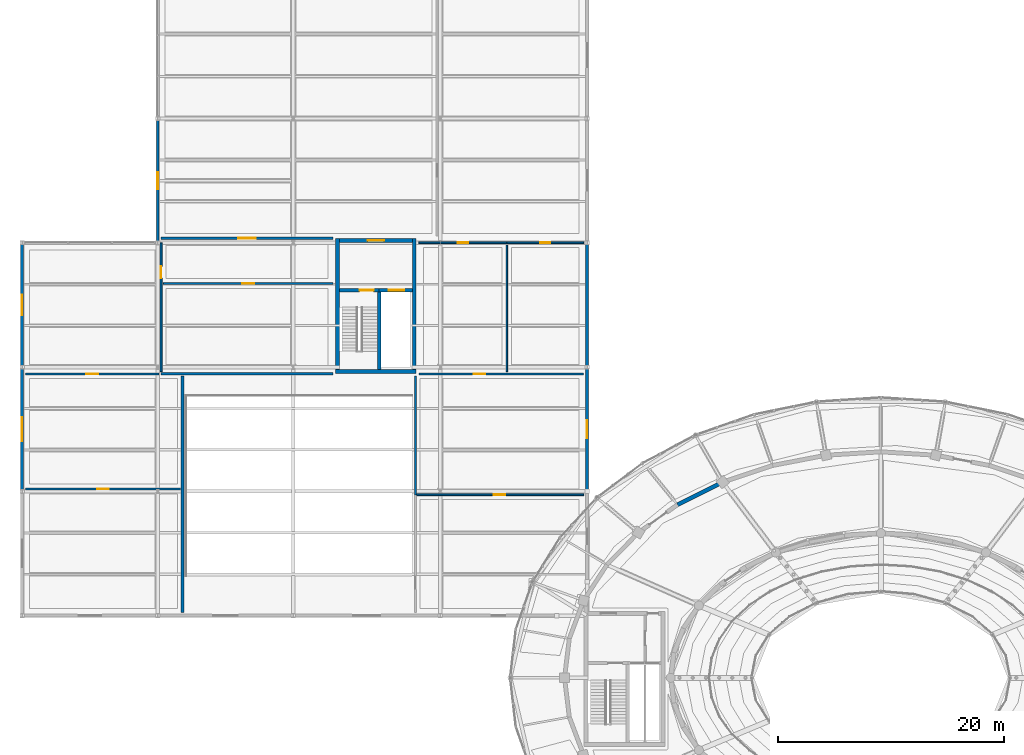
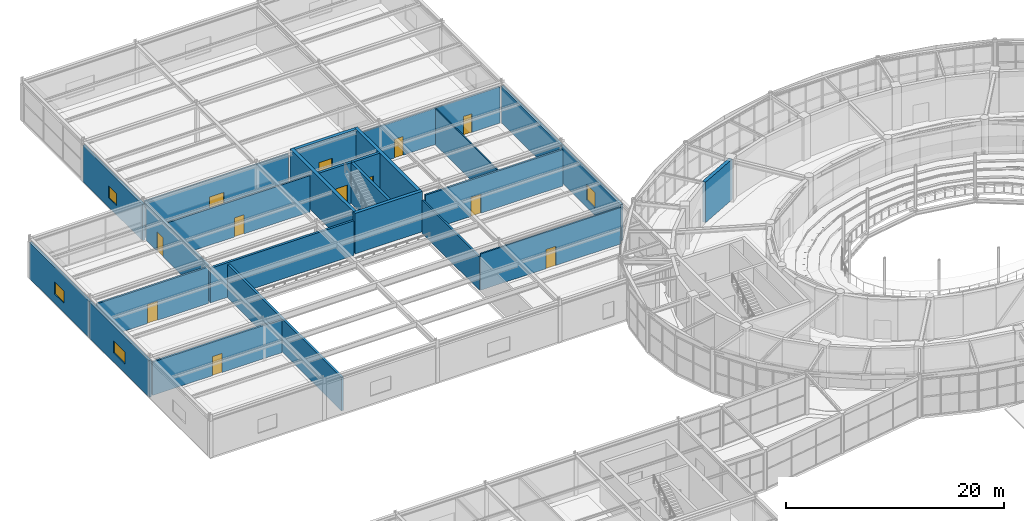
# One storey, part 81 of 100: 26 walls, 12 doors, 4 windows, 16 openings.
"""IFC4 building model written with IfcOpenShell, lengths in metres."""

from ifc_helpers import new_model, si_unit, direction, frame, frame_2d, origin, place, context, subcontext, project, spatial, rectangle, extrude, material, layer, layer_set, type_object, element, fill, save


model = new_model("IFC4")

# Units and contexts
model_context = context("Model", 3, precision=1e-05, world=origin(), true_north=direction((0.0, 1.0)))
body_context = subcontext(model_context, "Body", "Model", "MODEL_VIEW")
ifc_project = project(units=[si_unit("LENGTHUNIT", "METRE"), si_unit("AREAUNIT", "SQUARE_METRE"), si_unit("VOLUMEUNIT", "CUBIC_METRE"), si_unit("PLANEANGLEUNIT", "RADIAN"), si_unit("MASSUNIT", "GRAM", prefix="KILO")], contexts=[model_context])

# Site, building, storey
site_placement = place(None, origin())
site = spatial("IfcSite", under=ifc_project, at=site_placement, CompositionType="ELEMENT")
building_placement = place(site_placement, origin())
building = spatial("IfcBuilding", under=site, at=building_placement, Name="Tarnveldt Headland Concert Hall", CompositionType="ELEMENT")
storey_placement = place(building_placement, frame((0.0, 0.0, 4.800048828125)))
storey = spatial("IfcBuildingStorey", under=building, at=storey_placement, Name="L01", CompositionType="ELEMENT", Elevation=4.800048828125)

# Walls
ifc_material_1 = material(Name="Concrete C40/50", Category="concrete")
ifc_layer_1 = layer(ifc_material_1, 0.35009765625, Name="Concrete C40/50", Category="concrete")
ifc_layer_set_1 = layer_set([ifc_layer_1], Name="Concrete C40/50")
wall_type_1 = type_object("IfcWallType", Name="WL-CR350", PredefinedType="SHEAR", material=ifc_layer_set_1)
wall_1_placement = place(storey_placement, frame((69.5, 71.820556640625, 0.0), z_axis=(0.0, 0.0, 1.0), x_axis=(-0.894361644392, -0.447344664705, 0.0)))
element("IfcWall", 1, at=wall_1_placement, inside=storey, type_object=wall_type_1, Name="Symphony drum shear wall L01-13", PredefinedType="SHEAR", context=body_context, shape_type="SweptSolid", body=[
    extrude(rectangle(XDim=4.47021484375, YDim=0.35009765625, at=frame_2d((2.235107421875, 0.0))), origin(), (0.0, 0.0, 1.0), 4.5400390625),
])
wall_2_placement = place(storey_placement, frame((35.22509765625, 81.60009765625, 0.0), z_axis=(0.0, 0.0, 1.0), x_axis=(1.0, 0.0, 0.0)))
element("IfcWall", 2, at=wall_2_placement, inside=storey, type_object=wall_type_1, Name="Core C6 south shear wall L01", PredefinedType="SHEAR", context=body_context, shape_type="SweptSolid", body=[
    extrude(rectangle(XDim=7.14990234375, YDim=0.35009765625, at=frame_2d((3.574951171875, 0.0))), origin(), (0.0, 0.0, 1.0), 4.5400390625),
])

# Wall, opening, door
wall_3_placement = place(storey_placement, frame((35.574951171875, 93.199951171875, 0.0), z_axis=(0.0, 0.0, 1.0), x_axis=(1.0, 0.0, 0.0)))
wall_3 = element("IfcWall", 3, at=wall_3_placement, inside=storey, type_object=wall_type_1, Name="Core C6 north shear wall L01", PredefinedType="SHEAR", context=body_context, shape_type="SweptSolid", body=[
    extrude(rectangle(XDim=6.449951171875, YDim=0.35009765625, at=frame_2d((3.22509765625, 0.0))), origin(), (0.0, 0.0, 1.0), 4.5400390625),
])
opening_1_placement = place(wall_3_placement, frame((2.5, 0.0, 0.0)))
opening_1 = element("IfcOpeningElement", 4, at=opening_1_placement, cuts=wall_3, Name="Opening LBD-C6-L01", PredefinedType="OPENING", context=body_context, shape_type="SweptSolid", body=[
    extrude(rectangle(XDim=1.449951171875, YDim=2.199951171875, at=frame_2d((0.72509765625, 1.10009765625))), frame((0.0, 0.18505859375, 0.0), z_axis=(0.0, -1.0, 0.0), x_axis=(1.0, 0.0, 0.0)), (0.0, 0.0, 1.0), 0.3701171875),
])
ifc_material_2 = material(Name="Galvanised painted steel sheet", Category="steel")
door_type_1 = type_object("IfcDoorType", Name="DR-LB145", OperationType="NOTDEFINED", PredefinedType="DOOR", material=ifc_material_2)
door_1_placement = place(opening_1_placement, origin())
door_1 = element("IfcDoor", 5, at=door_1_placement, inside=storey, type_object=door_type_1, Name="Core C6 lobby entrance door L01", OperationType="SINGLE_SWING_RIGHT", OverallHeight=2.199951171875, OverallWidth=1.449951171875, PredefinedType="DOOR", context=body_context, shape_type="SweptSolid", body=[
    extrude(rectangle(XDim=1.449951171875, YDim=2.199951171875, at=frame_2d((0.72509765625, 1.10009765625))), frame((0.0, 0.02490234375, 0.0), z_axis=(0.0, -1.0, 0.0), x_axis=(1.0, 0.0, 0.0)), (0.0, 0.0, 1.0), 0.050048828125),
])
fill(opening_1, door_1)

# Walls
for number, where, z_axis, x_axis, name in (
    (6, (35.39990234375, 81.77490234375, 0.0), (0.0, 0.0, 1.0), (0.0, 1.0, 0.0), "Core C6 west shear wall L01"),
    (7, (42.199951171875, 81.77490234375, 0.0), (0.0, 0.0, 1.0), (0.0, 1.0, 0.0), "Core C6 east shear wall L01"),
):
    element("IfcWall", number, at=place(storey_placement, frame(where, z_axis=z_axis, x_axis=x_axis)), inside=storey, type_object=wall_type_1, Name=name, PredefinedType="SHEAR", context=body_context, shape_type="SweptSolid", body=[
        extrude(rectangle(XDim=11.60009765625, YDim=0.35009765625, at=frame_2d((5.800048828125, 0.0))), origin(), (0.0, 0.0, 1.0), 4.5400390625),
    ])

# Wall, opening, window
ifc_material_3 = material(Name="Coral-toned precast concrete C40/50", Category="concrete")
ifc_layer_2 = layer(ifc_material_3, 0.25, Name="Coral-toned precast concrete C40/50", Category="concrete")
ifc_layer_set_2 = layer_set([ifc_layer_2], Name="Coral-toned precast concrete C40/50")
wall_type_2 = type_object("IfcWallType", Name="WL-EX250", PredefinedType="SOLIDWALL", material=ifc_layer_set_2)
wall_4_placement = place(storey_placement, frame((57.5, 81.97998046875, 0.0), z_axis=(0.0, 0.0, 1.0), x_axis=(0.0, -1.0, 0.0)))
wall_4 = element("IfcWall", 8, at=wall_4_placement, inside=storey, type_object=wall_type_2, Name="External precast wall L01-285", PredefinedType="SOLIDWALL", context=body_context, shape_type="SweptSolid", body=[
    extrude(rectangle(XDim=10.9599609375, YDim=0.25, at=frame_2d((5.47998046875, 0.0))), origin(), (0.0, 0.0, 1.0), 4.077880859375),
])
opening_2_placement = place(wall_4_placement, frame((4.679931640625, 0.0, 0.85009765625)))
opening_2 = element("IfcOpeningElement", 9, at=opening_2_placement, cuts=wall_4, Name="Opening W-R121", PredefinedType="OPENING", context=body_context, shape_type="SweptSolid", body=[
    extrude(rectangle(XDim=1.60009765625, YDim=1.699951171875, at=frame_2d((0.800048828125, 0.85009765625))), frame((0.0, 0.135009765625, 0.0), z_axis=(0.0, -1.0, 0.0), x_axis=(1.0, 0.0, 0.0)), (0.0, 0.0, 1.0), 0.27001953125),
])
ifc_material_4 = material(Name="Acoustic laminated low-iron double glazing", Category="glass")
window_type_1 = type_object("IfcWindowType", Name="WN-11", PartitioningType="SINGLE_PANEL", PredefinedType="WINDOW", material=ifc_material_4)
window_1_placement = place(opening_2_placement, origin())
window_1 = element("IfcWindow", 10, at=window_1_placement, inside=storey, type_object=window_type_1, Name="Rehearsal wing acoustic window L01-E2", OverallHeight=1.699951171875, OverallWidth=1.60009765625, PartitioningType="SINGLE_PANEL", PredefinedType="WINDOW", context=body_context, shape_type="SweptSolid", body=[
    extrude(rectangle(XDim=1.60009765625, YDim=1.699951171875, at=frame_2d((0.800048828125, 0.85009765625))), frame((0.0, 0.030029296875, 0.0), z_axis=(0.0, -1.0, 0.0), x_axis=(1.0, 0.0, 0.0)), (0.0, 0.0, 1.0), 0.06005859375),
])
fill(opening_2, window_1)

# Wall
wall_5_placement = place(storey_placement, frame((57.5, 92.97998046875, 0.0), z_axis=(0.0, 0.0, 1.0), x_axis=(0.0, -1.0, 0.0)))
element("IfcWall", 11, at=wall_5_placement, inside=storey, type_object=wall_type_2, Name="External precast wall L01-286", PredefinedType="SOLIDWALL", context=body_context, shape_type="SweptSolid", body=[
    extrude(rectangle(XDim=10.9599609375, YDim=0.25, at=frame_2d((5.47998046875, 0.0))), origin(), (0.0, 0.0, 1.0), 4.077880859375),
])

# Wall, opening, window
wall_6_placement = place(storey_placement, frame((19.5, 93.02001953125, 0.0), z_axis=(0.0, 0.0, 1.0), x_axis=(0.0, 1.0, 0.0)))
wall_6 = element("IfcWall", 12, at=wall_6_placement, inside=storey, type_object=wall_type_2, Name="External precast wall L01-292", PredefinedType="SOLIDWALL", context=body_context, shape_type="SweptSolid", body=[
    extrude(rectangle(XDim=10.9599609375, YDim=0.25, at=frame_2d((5.47998046875, 0.0))), origin(), (0.0, 0.0, 1.0), 4.077880859375),
])
opening_3_placement = place(wall_6_placement, frame((4.72998046875, 0.0, 1.050048828125)))
opening_3 = element("IfcOpeningElement", 13, at=opening_3_placement, cuts=wall_6, Name="Opening W-R127", PredefinedType="OPENING", context=body_context, shape_type="SweptSolid", body=[
    extrude(rectangle(XDim=1.5, YDim=1.35009765625, at=frame_2d((0.75, 0.675048828125))), frame((0.0, 0.135009765625, 0.0), z_axis=(0.0, -1.0, 0.0), x_axis=(1.0, 0.0, 0.0)), (0.0, 0.0, 1.0), 0.27001953125),
])
window_type_2 = type_object("IfcWindowType", Name="WN-17", PartitioningType="SINGLE_PANEL", PredefinedType="WINDOW", material=ifc_material_4)
window_2_placement = place(opening_3_placement, origin())
window_2 = element("IfcWindow", 14, at=window_2_placement, inside=storey, type_object=window_type_2, Name="Rehearsal wing acoustic window L01-CW2", OverallHeight=1.35009765625, OverallWidth=1.5, PartitioningType="SINGLE_PANEL", PredefinedType="WINDOW", context=body_context, shape_type="SweptSolid", body=[
    extrude(rectangle(XDim=1.5, YDim=1.35009765625, at=frame_2d((0.75, 0.675048828125))), frame((0.0, 0.030029296875, 0.0), z_axis=(0.0, -1.0, 0.0), x_axis=(1.0, 0.0, 0.0)), (0.0, 0.0, 1.0), 0.06005859375),
])
fill(opening_3, window_2)

wall_7_placement = place(storey_placement, frame((7.5, 82.02001953125, 0.0), z_axis=(0.0, 0.0, 1.0), x_axis=(0.0, 1.0, 0.0)))
wall_7 = element("IfcWall", 15, at=wall_7_placement, inside=storey, type_object=wall_type_2, Name="External precast wall L01-293", PredefinedType="SOLIDWALL", context=body_context, shape_type="SweptSolid", body=[
    extrude(rectangle(XDim=10.9599609375, YDim=0.25, at=frame_2d((5.47998046875, 0.0))), origin(), (0.0, 0.0, 1.0), 4.077880859375),
])
opening_4_placement = place(wall_7_placement, frame((4.580078125, 0.0, 1.050048828125)))
opening_4 = element("IfcOpeningElement", 16, at=opening_4_placement, cuts=wall_7, Name="Opening W-R128", PredefinedType="OPENING", context=body_context, shape_type="SweptSolid", body=[
    extrude(rectangle(XDim=1.800048828125, YDim=1.35009765625, at=frame_2d((0.89990234375, 0.675048828125))), frame((0.0, 0.135009765625, 0.0), z_axis=(0.0, -1.0, 0.0), x_axis=(1.0, 0.0, 0.0)), (0.0, 0.0, 1.0), 0.27001953125),
])
window_type_3 = type_object("IfcWindowType", Name="WN-18", PartitioningType="SINGLE_PANEL", PredefinedType="WINDOW", material=ifc_material_4)
window_3_placement = place(opening_4_placement, origin())
window_3 = element("IfcWindow", 17, at=window_3_placement, inside=storey, type_object=window_type_3, Name="Rehearsal wing acoustic window L01-W1", OverallHeight=1.35009765625, OverallWidth=1.800048828125, PartitioningType="SINGLE_PANEL", PredefinedType="WINDOW", context=body_context, shape_type="SweptSolid", body=[
    extrude(rectangle(XDim=1.800048828125, YDim=1.35009765625, at=frame_2d((0.89990234375, 0.675048828125))), frame((0.0, 0.030029296875, 0.0), z_axis=(0.0, -1.0, 0.0), x_axis=(1.0, 0.0, 0.0)), (0.0, 0.0, 1.0), 0.06005859375),
])
fill(opening_4, window_3)

wall_8_placement = place(storey_placement, frame((7.5, 71.02001953125, 0.0), z_axis=(0.0, 0.0, 1.0), x_axis=(0.0, 1.0, 0.0)))
wall_8 = element("IfcWall", 18, at=wall_8_placement, inside=storey, type_object=wall_type_2, Name="External precast wall L01-294", PredefinedType="SOLIDWALL", context=body_context, shape_type="SweptSolid", body=[
    extrude(rectangle(XDim=10.9599609375, YDim=0.25, at=frame_2d((5.47998046875, 0.0))), origin(), (0.0, 0.0, 1.0), 4.077880859375),
])
opening_5_placement = place(wall_8_placement, frame((4.429931640625, 0.0, 1.050048828125)))
opening_5 = element("IfcOpeningElement", 19, at=opening_5_placement, cuts=wall_8, Name="Opening W-R129", PredefinedType="OPENING", context=body_context, shape_type="SweptSolid", body=[
    extrude(rectangle(XDim=2.10009765625, YDim=1.35009765625, at=frame_2d((1.050048828125, 0.675048828125))), frame((0.0, 0.135009765625, 0.0), z_axis=(0.0, -1.0, 0.0), x_axis=(1.0, 0.0, 0.0)), (0.0, 0.0, 1.0), 0.27001953125),
])
window_type_4 = type_object("IfcWindowType", Name="WN-19", PartitioningType="SINGLE_PANEL", PredefinedType="WINDOW", material=ifc_material_4)
window_4_placement = place(opening_5_placement, origin())
window_4 = element("IfcWindow", 20, at=window_4_placement, inside=storey, type_object=window_type_4, Name="Rehearsal wing acoustic window L01-W2", OverallHeight=1.35009765625, OverallWidth=2.10009765625, PartitioningType="SINGLE_PANEL", PredefinedType="WINDOW", context=body_context, shape_type="SweptSolid", body=[
    extrude(rectangle(XDim=2.10009765625, YDim=1.35009765625, at=frame_2d((1.050048828125, 0.675048828125))), frame((0.0, 0.030029296875, 0.0), z_axis=(0.0, -1.0, 0.0), x_axis=(1.0, 0.0, 0.0)), (0.0, 0.0, 1.0), 0.06005859375),
])
fill(opening_5, window_4)

# Wall
ifc_material_5 = material(Name="Acoustic multi-layer gypsum and mineral-wool partition", Category="gypsum")
ifc_layer_3 = layer(ifc_material_5, 0.1201171875, Name="Acoustic multi-layer gypsum and mineral-wool partition", Category="gypsum")
ifc_layer_set_3 = layer_set([ifc_layer_3], Name="Acoustic multi-layer gypsum and mineral-wool partition")
wall_type_3 = type_object("IfcWallType", Name="WL-PT120", PredefinedType="PARTITIONING", material=ifc_layer_set_3)
wall_9_placement = place(storey_placement, frame((50.39990234375, 81.60009765625, 0.0), z_axis=(0.0, 0.0, 1.0), x_axis=(0.0, 1.0, 0.0)))
element("IfcWall", 21, at=wall_9_placement, inside=storey, type_object=wall_type_3, Name="Interior acoustic partition L01-84", PredefinedType="PARTITIONING", context=body_context, shape_type="SweptSolid", body=[
    extrude(rectangle(XDim=11.199951171875, YDim=0.1201171875, at=frame_2d((5.60009765625, 0.0))), origin(), (0.0, 0.0, 1.0), 4.079833984375),
])

# Wall, opening, door
ifc_layer_4 = layer(ifc_material_5, 0.14990234375, Name="Acoustic multi-layer gypsum and mineral-wool partition", Category="gypsum")
ifc_layer_set_4 = layer_set([ifc_layer_4], Name="Acoustic multi-layer gypsum and mineral-wool partition")
wall_type_4 = type_object("IfcWallType", Name="WL-PT150", PredefinedType="PARTITIONING", material=ifc_layer_set_4)
wall_10_placement = place(storey_placement, frame((42.300048828125, 70.699951171875, 0.0), z_axis=(0.0, 0.0, 1.0), x_axis=(1.0, 0.0, 0.0)))
wall_10 = element("IfcWall", 22, at=wall_10_placement, inside=storey, type_object=wall_type_4, Name="Interior acoustic partition L01-81", PredefinedType="PARTITIONING", context=body_context, shape_type="SweptSolid", body=[
    extrude(rectangle(XDim=14.89990234375, YDim=0.14990234375, at=frame_2d((7.449951171875, 0.0))), origin(), (0.0, 0.0, 1.0), 4.079833984375),
])
opening_6_placement = place(wall_10_placement, frame((6.925048828125, 0.0, 0.0)))
opening_6 = element("IfcOpeningElement", 23, at=opening_6_placement, cuts=wall_10, Name="Opening D-L01-104", PredefinedType="OPENING", context=body_context, shape_type="SweptSolid", body=[
    extrude(rectangle(XDim=1.050048828125, YDim=2.14990234375, at=frame_2d((0.52490234375, 1.074951171875))), frame((0.0, 0.0849609375, 0.0), z_axis=(0.0, -1.0, 0.0), x_axis=(1.0, 0.0, 0.0)), (0.0, 0.0, 1.0), 0.169921875),
])
ifc_material_6 = material(Name="Treated East African mvule hardwood", Category="wood")
door_type_2 = type_object("IfcDoorType", Name="DR-RM105", OperationType="NOTDEFINED", PredefinedType="DOOR", material=ifc_material_6)
door_2_placement = place(opening_6_placement, origin())
door_2 = element("IfcDoor", 24, at=door_2_placement, inside=storey, type_object=door_type_2, Name="Interior room door L01-104", OperationType="SINGLE_SWING_RIGHT", OverallHeight=2.14990234375, OverallWidth=1.050048828125, PredefinedType="DOOR", context=body_context, shape_type="SweptSolid", body=[
    extrude(rectangle(XDim=1.050048828125, YDim=2.14990234375, at=frame_2d((0.52490234375, 1.074951171875))), frame((0.0, 0.02490234375, 0.0), z_axis=(0.0, -1.0, 0.0), x_axis=(1.0, 0.0, 0.0)), (0.0, 0.0, 1.0), 0.050048828125),
])
fill(opening_6, door_2)

ifc_layer_5 = layer(ifc_material_5, 0.1650390625, Name="Acoustic multi-layer gypsum and mineral-wool partition", Category="gypsum")
ifc_layer_set_5 = layer_set([ifc_layer_5], Name="Acoustic multi-layer gypsum and mineral-wool partition")
wall_type_5 = type_object("IfcWallType", Name="WL-PT165", PredefinedType="PARTITIONING", material=ifc_layer_set_5)
wall_11_placement = place(storey_placement, frame((19.800048828125, 81.60009765625, 0.0), z_axis=(0.0, 0.0, 1.0), x_axis=(0.0, 1.0, 0.0)))
wall_11 = element("IfcWall", 25, at=wall_11_placement, inside=storey, type_object=wall_type_5, Name="Interior acoustic partition L01-75", PredefinedType="PARTITIONING", context=body_context, shape_type="SweptSolid", body=[
    extrude(rectangle(XDim=11.39990234375, YDim=0.1650390625, at=frame_2d((5.699951171875, 0.0))), origin(), (0.0, 0.0, 1.0), 4.079833984375),
])
opening_7_placement = place(wall_11_placement, frame((8.256591796875, 0.0, 0.0)))
opening_7 = element("IfcOpeningElement", 26, at=opening_7_placement, cuts=wall_11, Name="Opening D-L01-100", PredefinedType="OPENING", context=body_context, shape_type="SweptSolid", body=[
    extrude(rectangle(XDim=1.050048828125, YDim=2.14990234375, at=frame_2d((0.52490234375, 1.074951171875))), frame((0.0, 0.092529296875, 0.0), z_axis=(0.0, -1.0, 0.0), x_axis=(1.0, 0.0, 0.0)), (0.0, 0.0, 1.0), 0.18505859375),
])
door_3_placement = place(opening_7_placement, origin())
door_3 = element("IfcDoor", 27, at=door_3_placement, inside=storey, type_object=door_type_2, Name="Interior room door L01-100", OperationType="SINGLE_SWING_RIGHT", OverallHeight=2.14990234375, OverallWidth=1.050048828125, PredefinedType="DOOR", context=body_context, shape_type="SweptSolid", body=[
    extrude(rectangle(XDim=1.050048828125, YDim=2.14990234375, at=frame_2d((0.52490234375, 1.074951171875))), frame((0.0, 0.02490234375, 0.0), z_axis=(0.0, -1.0, 0.0), x_axis=(1.0, 0.0, 0.0)), (0.0, 0.0, 1.0), 0.050048828125),
])
fill(opening_7, door_3)

wall_12_placement = place(storey_placement, frame((20.0, 89.39990234375, 0.0), z_axis=(0.0, 0.0, 1.0), x_axis=(1.0, 0.0, 0.0)))
wall_12 = element("IfcWall", 28, at=wall_12_placement, inside=storey, type_object=wall_type_5, Name="Interior acoustic partition L01-76", PredefinedType="PARTITIONING", context=body_context, shape_type="SweptSolid", body=[
    extrude(rectangle(XDim=15.0, YDim=0.1650390625, at=frame_2d((7.5, 0.0))), origin(), (0.0, 0.0, 1.0), 4.079833984375),
])
opening_8_placement = place(wall_12_placement, frame((6.97509765625, 0.0, 0.0)))
opening_8 = element("IfcOpeningElement", 29, at=opening_8_placement, cuts=wall_12, Name="Opening D-L01-101", PredefinedType="OPENING", context=body_context, shape_type="SweptSolid", body=[
    extrude(rectangle(XDim=1.050048828125, YDim=2.14990234375, at=frame_2d((0.52490234375, 1.074951171875))), frame((0.0, 0.092529296875, 0.0), z_axis=(0.0, -1.0, 0.0), x_axis=(1.0, 0.0, 0.0)), (0.0, 0.0, 1.0), 0.18505859375),
])
door_4_placement = place(opening_8_placement, origin())
door_4 = element("IfcDoor", 30, at=door_4_placement, inside=storey, type_object=door_type_2, Name="Interior room door L01-101", OperationType="SINGLE_SWING_LEFT", OverallHeight=2.14990234375, OverallWidth=1.050048828125, PredefinedType="DOOR", context=body_context, shape_type="SweptSolid", body=[
    extrude(rectangle(XDim=1.050048828125, YDim=2.14990234375, at=frame_2d((0.52490234375, 1.074951171875))), frame((0.0, 0.02490234375, 0.0), z_axis=(0.0, -1.0, 0.0), x_axis=(1.0, 0.0, 0.0)), (0.0, 0.0, 1.0), 0.050048828125),
])
fill(opening_8, door_4)

wall_13_placement = place(storey_placement, frame((42.60009765625, 93.0, 0.0), z_axis=(0.0, 0.0, 1.0), x_axis=(1.0, 0.0, 0.0)))
wall_13 = element("IfcWall", 31, at=wall_13_placement, inside=storey, type_object=wall_type_5, Name="Interior acoustic partition L01-82", PredefinedType="PARTITIONING", context=body_context, shape_type="SweptSolid", body=[
    extrude(rectangle(XDim=7.7998046875, YDim=0.1650390625, at=frame_2d((3.89990234375, 0.0))), origin(), (0.0, 0.0, 1.0), 4.079833984375),
])
opening_9_placement = place(wall_13_placement, frame((3.43994140625, 0.0, 0.0)))
opening_9 = element("IfcOpeningElement", 32, at=opening_9_placement, cuts=wall_13, Name="Opening D-L01-105", PredefinedType="OPENING", context=body_context, shape_type="SweptSolid", body=[
    extrude(rectangle(XDim=0.919921875, YDim=2.10009765625, at=frame_2d((0.4599609375, 1.050048828125))), frame((0.0, 0.092529296875, 0.0), z_axis=(0.0, -1.0, 0.0), x_axis=(1.0, 0.0, 0.0)), (0.0, 0.0, 1.0), 0.18505859375),
])
door_type_3 = type_object("IfcDoorType", Name="DR-WC092", OperationType="NOTDEFINED", PredefinedType="DOOR", material=ifc_material_6)
door_5_placement = place(opening_9_placement, origin())
door_5 = element("IfcDoor", 33, at=door_5_placement, inside=storey, type_object=door_type_3, Name="Interior room door L01-105", OperationType="SINGLE_SWING_LEFT", OverallHeight=2.10009765625, OverallWidth=0.919921875, PredefinedType="DOOR", context=body_context, shape_type="SweptSolid", body=[
    extrude(rectangle(XDim=0.919921875, YDim=2.10009765625, at=frame_2d((0.4599609375, 1.050048828125))), frame((0.0, 0.02490234375, 0.0), z_axis=(0.0, -1.0, 0.0), x_axis=(1.0, 0.0, 0.0)), (0.0, 0.0, 1.0), 0.050048828125),
])
fill(opening_9, door_5)

wall_14_placement = place(storey_placement, frame((50.39990234375, 93.0, 0.0), z_axis=(0.0, 0.0, 1.0), x_axis=(1.0, 0.0, 0.0)))
wall_14 = element("IfcWall", 34, at=wall_14_placement, inside=storey, type_object=wall_type_5, Name="Interior acoustic partition L01-83", PredefinedType="PARTITIONING", context=body_context, shape_type="SweptSolid", body=[
    extrude(rectangle(XDim=6.800048828125, YDim=0.1650390625, at=frame_2d((3.39990234375, 0.0))), origin(), (0.0, 0.0, 1.0), 4.079833984375),
])
opening_10_placement = place(wall_14_placement, frame((2.9599609375, 0.0, 0.0)))
opening_10 = element("IfcOpeningElement", 35, at=opening_10_placement, cuts=wall_14, Name="Opening D-L01-106", PredefinedType="OPENING", context=body_context, shape_type="SweptSolid", body=[
    extrude(rectangle(XDim=0.8798828125, YDim=2.10009765625, at=frame_2d((0.43994140625, 1.050048828125))), frame((0.0, 0.092529296875, 0.0), z_axis=(0.0, -1.0, 0.0), x_axis=(1.0, 0.0, 0.0)), (0.0, 0.0, 1.0), 0.18505859375),
])
door_type_4 = type_object("IfcDoorType", Name="DR-WC088", OperationType="NOTDEFINED", PredefinedType="DOOR", material=ifc_material_6)
door_6_placement = place(opening_10_placement, origin())
door_6 = element("IfcDoor", 36, at=door_6_placement, inside=storey, type_object=door_type_4, Name="Interior room door L01-106", OperationType="SINGLE_SWING_RIGHT", OverallHeight=2.10009765625, OverallWidth=0.8798828125, PredefinedType="DOOR", context=body_context, shape_type="SweptSolid", body=[
    extrude(rectangle(XDim=0.8798828125, YDim=2.10009765625, at=frame_2d((0.43994140625, 1.050048828125))), frame((0.0, 0.02490234375, 0.0), z_axis=(0.0, -1.0, 0.0), x_axis=(1.0, 0.0, 0.0)), (0.0, 0.0, 1.0), 0.050048828125),
])
fill(opening_10, door_6)

ifc_layer_6 = layer(ifc_material_5, 0.18505859375, Name="Acoustic multi-layer gypsum and mineral-wool partition", Category="gypsum")
ifc_layer_set_6 = layer_set([ifc_layer_6], Name="Acoustic multi-layer gypsum and mineral-wool partition")
wall_type_6 = type_object("IfcWallType", Name="WL-PT185", PredefinedType="PARTITIONING", material=ifc_layer_set_6)
wall_15_placement = place(storey_placement, frame((7.800048828125, 81.39990234375, 0.0), z_axis=(0.0, 0.0, 1.0), x_axis=(1.0, 0.0, 0.0)))
wall_15 = element("IfcWall", 37, at=wall_15_placement, inside=storey, type_object=wall_type_6, Name="Interior acoustic partition L01-74", PredefinedType="PARTITIONING", context=body_context, shape_type="SweptSolid", body=[
    extrude(rectangle(XDim=11.800048828125, YDim=0.18505859375, at=frame_2d((5.89990234375, 0.0))), origin(), (0.0, 0.0, 1.0), 4.079833984375),
])
opening_11_placement = place(wall_15_placement, frame((5.375, 0.0, 0.0)))
opening_11 = element("IfcOpeningElement", 38, at=opening_11_placement, cuts=wall_15, Name="Opening D-L01-099", PredefinedType="OPENING", context=body_context, shape_type="SweptSolid", body=[
    extrude(rectangle(XDim=1.050048828125, YDim=2.14990234375, at=frame_2d((0.52490234375, 1.074951171875))), frame((0.0, 0.1025390625, 0.0), z_axis=(0.0, -1.0, 0.0), x_axis=(1.0, 0.0, 0.0)), (0.0, 0.0, 1.0), 0.205078125),
])
door_7_placement = place(opening_11_placement, origin())
door_7 = element("IfcDoor", 39, at=door_7_placement, inside=storey, type_object=door_type_2, Name="Interior room door L01-99", OperationType="SINGLE_SWING_LEFT", OverallHeight=2.14990234375, OverallWidth=1.050048828125, PredefinedType="DOOR", context=body_context, shape_type="SweptSolid", body=[
    extrude(rectangle(XDim=1.050048828125, YDim=2.14990234375, at=frame_2d((0.52490234375, 1.074951171875))), frame((0.0, 0.02490234375, 0.0), z_axis=(0.0, -1.0, 0.0), x_axis=(1.0, 0.0, 0.0)), (0.0, 0.0, 1.0), 0.050048828125),
])
fill(opening_11, door_7)

wall_16_placement = place(storey_placement, frame((7.800048828125, 71.199951171875, 0.0), z_axis=(0.0, 0.0, 1.0), x_axis=(1.0, 0.0, 0.0)))
wall_16 = element("IfcWall", 40, at=wall_16_placement, inside=storey, type_object=wall_type_6, Name="Interior acoustic partition L01-78", PredefinedType="PARTITIONING", context=body_context, shape_type="SweptSolid", body=[
    extrude(rectangle(XDim=13.699951171875, YDim=0.18505859375, at=frame_2d((6.85009765625, 0.0))), origin(), (0.0, 0.0, 1.0), 3.72998046875),
])
opening_12_placement = place(wall_16_placement, frame((6.324951171875, 0.0, 0.0)))
opening_12 = element("IfcOpeningElement", 41, at=opening_12_placement, cuts=wall_16, Name="Opening D-L01-102", PredefinedType="OPENING", context=body_context, shape_type="SweptSolid", body=[
    extrude(rectangle(XDim=1.050048828125, YDim=2.14990234375, at=frame_2d((0.52490234375, 1.074951171875))), frame((0.0, 0.1025390625, 0.0), z_axis=(0.0, -1.0, 0.0), x_axis=(1.0, 0.0, 0.0)), (0.0, 0.0, 1.0), 0.205078125),
])
door_8_placement = place(opening_12_placement, origin())
door_8 = element("IfcDoor", 42, at=door_8_placement, inside=storey, type_object=door_type_2, Name="Interior room door L01-102", OperationType="SINGLE_SWING_RIGHT", OverallHeight=2.14990234375, OverallWidth=1.050048828125, PredefinedType="DOOR", context=body_context, shape_type="SweptSolid", body=[
    extrude(rectangle(XDim=1.050048828125, YDim=2.14990234375, at=frame_2d((0.52490234375, 1.074951171875))), frame((0.0, 0.02490234375, 0.0), z_axis=(0.0, -1.0, 0.0), x_axis=(1.0, 0.0, 0.0)), (0.0, 0.0, 1.0), 0.050048828125),
])
fill(opening_12, door_8)

# Wall
wall_17_placement = place(storey_placement, frame((42.300048828125, 70.699951171875, 0.0), z_axis=(0.0, 0.0, 1.0), x_axis=(0.0, 1.0, 0.0)))
element("IfcWall", 43, at=wall_17_placement, inside=storey, type_object=wall_type_6, Name="Interior acoustic partition L01-80", PredefinedType="PARTITIONING", context=body_context, shape_type="SweptSolid", body=[
    extrude(rectangle(XDim=10.5, YDim=0.18505859375, at=frame_2d((5.25, 0.0))), origin(), (0.0, 0.0, 1.0), 3.72998046875),
])

# Wall, opening, door
wall_18_placement = place(storey_placement, frame((42.60009765625, 81.39990234375, 0.0), z_axis=(0.0, 0.0, 1.0), x_axis=(1.0, 0.0, 0.0)))
wall_18 = element("IfcWall", 44, at=wall_18_placement, inside=storey, type_object=wall_type_6, Name="Interior acoustic partition L01-85", PredefinedType="PARTITIONING", context=body_context, shape_type="SweptSolid", body=[
    extrude(rectangle(XDim=14.599853515625, YDim=0.18505859375, at=frame_2d((7.2998046875, 0.0))), origin(), (0.0, 0.0, 1.0), 4.079833984375),
])
opening_13_placement = place(wall_18_placement, frame((4.8505859375, 0.0, 0.0)))
opening_13 = element("IfcOpeningElement", 45, at=opening_13_placement, cuts=wall_18, Name="Opening D-L01-107", PredefinedType="OPENING", context=body_context, shape_type="SweptSolid", body=[
    extrude(rectangle(XDim=1.050048828125, YDim=2.14990234375, at=frame_2d((0.52490234375, 1.074951171875))), frame((0.0, 0.1025390625, 0.0), z_axis=(0.0, -1.0, 0.0), x_axis=(1.0, 0.0, 0.0)), (0.0, 0.0, 1.0), 0.205078125),
])
door_9_placement = place(opening_13_placement, origin())
door_9 = element("IfcDoor", 46, at=door_9_placement, inside=storey, type_object=door_type_2, Name="Interior room door L01-107", OperationType="SINGLE_SWING_LEFT", OverallHeight=2.14990234375, OverallWidth=1.050048828125, PredefinedType="DOOR", context=body_context, shape_type="SweptSolid", body=[
    extrude(rectangle(XDim=1.050048828125, YDim=2.14990234375, at=frame_2d((0.52490234375, 1.074951171875))), frame((0.0, 0.02490234375, 0.0), z_axis=(0.0, -1.0, 0.0), x_axis=(1.0, 0.0, 0.0)), (0.0, 0.0, 1.0), 0.050048828125),
])
fill(opening_13, door_9)

ifc_layer_7 = layer(ifc_material_5, 0.199951171875, Name="Acoustic multi-layer gypsum and mineral-wool partition", Category="gypsum")
ifc_layer_set_7 = layer_set([ifc_layer_7], Name="Acoustic multi-layer gypsum and mineral-wool partition")
wall_type_7 = type_object("IfcWallType", Name="WL-PT200", PredefinedType="PARTITIONING", material=ifc_layer_set_7)
wall_19_placement = place(storey_placement, frame((19.800048828125, 93.39990234375, 0.0), z_axis=(0.0, 0.0, 1.0), x_axis=(1.0, 0.0, 0.0)))
wall_19 = element("IfcWall", 47, at=wall_19_placement, inside=storey, type_object=wall_type_7, Name="Interior acoustic partition L01-87", PredefinedType="PARTITIONING", context=body_context, shape_type="SweptSolid", body=[
    extrude(rectangle(XDim=15.199951171875, YDim=0.199951171875, at=frame_2d((7.60009765625, 0.0))), origin(), (0.0, 0.0, 1.0), 4.079833984375),
])
opening_14_placement = place(wall_19_placement, frame((6.824951171875, 0.0, 0.0)))
opening_14 = element("IfcOpeningElement", 48, at=opening_14_placement, cuts=wall_19, Name="Opening D-L01-109", PredefinedType="OPENING", context=body_context, shape_type="SweptSolid", body=[
    extrude(rectangle(XDim=1.550048828125, YDim=2.179931640625, at=frame_2d((0.77490234375, 1.08984375))), frame((0.0, 0.10986328125, 0.0), z_axis=(0.0, -1.0, 0.0), x_axis=(1.0, 0.0, 0.0)), (0.0, 0.0, 1.0), 0.219970703125),
])
door_type_5 = type_object("IfcDoorType", Name="DR-AC155", OperationType="NOTDEFINED", PredefinedType="DOOR", material=ifc_material_6)
door_10_placement = place(opening_14_placement, origin())
door_10 = element("IfcDoor", 49, at=door_10_placement, inside=storey, type_object=door_type_5, Name="Interior room door L01-109", OperationType="SINGLE_SWING_LEFT", OverallHeight=2.179931640625, OverallWidth=1.550048828125, PredefinedType="DOOR", context=body_context, shape_type="SweptSolid", body=[
    extrude(rectangle(XDim=1.550048828125, YDim=2.179931640625, at=frame_2d((0.77490234375, 1.08984375))), frame((0.0, 0.02490234375, 0.0), z_axis=(0.0, -1.0, 0.0), x_axis=(1.0, 0.0, 0.0)), (0.0, 0.0, 1.0), 0.050048828125),
])
fill(opening_14, door_10)

# Walls
ifc_layer_8 = layer(ifc_material_5, 0.239990234375, Name="Acoustic multi-layer gypsum and mineral-wool partition", Category="gypsum")
ifc_layer_set_8 = layer_set([ifc_layer_8], Name="Acoustic multi-layer gypsum and mineral-wool partition")
wall_type_8 = type_object("IfcWallType", Name="WL-PT240", PredefinedType="PARTITIONING", material=ifc_layer_set_8)
wall_20_placement = place(storey_placement, frame((19.800048828125, 81.39990234375, 0.0), z_axis=(0.0, 0.0, 1.0), x_axis=(1.0, 0.0, 0.0)))
element("IfcWall", 50, at=wall_20_placement, inside=storey, type_object=wall_type_8, Name="Interior acoustic partition L01-73", PredefinedType="PARTITIONING", context=body_context, shape_type="SweptSolid", body=[
    extrude(rectangle(XDim=15.199951171875, YDim=0.239990234375, at=frame_2d((7.60009765625, 0.0))), origin(), (0.0, 0.0, 1.0), 3.8798828125),
])
wall_21_placement = place(storey_placement, frame((21.699951171875, 60.300048828125, 0.0), z_axis=(0.0, 0.0, 1.0), x_axis=(0.0, 1.0, 0.0)))
element("IfcWall", 51, at=wall_21_placement, inside=storey, type_object=wall_type_8, Name="Interior acoustic partition L01-77", PredefinedType="PARTITIONING", context=body_context, shape_type="SweptSolid", body=[
    extrude(rectangle(XDim=20.89990234375, YDim=0.239990234375, at=frame_2d((10.449951171875, 0.0))), origin(), (0.0, 0.0, 1.0), 3.72998046875),
])
ifc_layer_9 = layer(ifc_material_1, 0.27490234375, Name="Concrete C40/50", Category="concrete")
ifc_layer_set_9 = layer_set([ifc_layer_9], Name="Concrete C40/50")
wall_type_9 = type_object("IfcWallType", Name="WL-SH275", PredefinedType="SHEAR", material=ifc_layer_set_9)
wall_22_placement = place(storey_placement, frame((39.10009765625, 81.77490234375, 0.0), z_axis=(0.0, 0.0, 1.0), x_axis=(0.0, 1.0, 0.0)))
element("IfcWall", 52, at=wall_22_placement, inside=storey, type_object=wall_type_9, Name="Core C6 shaft divider wall L01", PredefinedType="SHEAR", context=body_context, shape_type="SweptSolid", body=[
    extrude(rectangle(XDim=6.8876953125, YDim=0.27490234375, at=frame_2d((3.44384765625, 0.0))), origin(), (0.0, 0.0, 1.0), 4.5400390625),
])

# Wall, opening, door
wall_23_placement = place(storey_placement, frame((35.574951171875, 88.800048828125, 0.0), z_axis=(0.0, 0.0, 1.0), x_axis=(1.0, 0.0, 0.0)))
wall_23 = element("IfcWall", 53, at=wall_23_placement, inside=storey, type_object=wall_type_9, Name="Core C6 stair enclosure wall L01", PredefinedType="SHEAR", context=body_context, shape_type="SweptSolid", body=[
    extrude(rectangle(XDim=3.525146484375, YDim=0.27490234375, at=frame_2d((1.7626953125, 0.0))), origin(), (0.0, 0.0, 1.0), 4.5400390625),
])
opening_15_placement = place(wall_23_placement, frame((1.784912109375, 0.0, 0.0)))
opening_15 = element("IfcOpeningElement", 54, at=opening_15_placement, cuts=wall_23, Name="Opening SD-C6-L01", PredefinedType="OPENING", context=body_context, shape_type="SweptSolid", body=[
    extrude(rectangle(XDim=1.25, YDim=2.14990234375, at=frame_2d((0.625, 1.074951171875))), frame((0.0, 0.1474609375, 0.0), z_axis=(0.0, -1.0, 0.0), x_axis=(1.0, 0.0, 0.0)), (0.0, 0.0, 1.0), 0.294921875),
])
door_type_6 = type_object("IfcDoorType", Name="DR-ST125", OperationType="NOTDEFINED", PredefinedType="DOOR", material=ifc_material_2)
door_11_placement = place(opening_15_placement, origin())
door_11 = element("IfcDoor", 55, at=door_11_placement, inside=storey, type_object=door_type_6, Name="Core C6 stair fire door L01", OperationType="SINGLE_SWING_RIGHT", OverallHeight=2.14990234375, OverallWidth=1.25, PredefinedType="DOOR", context=body_context, shape_type="SweptSolid", body=[
    extrude(rectangle(XDim=1.25, YDim=2.14990234375, at=frame_2d((0.625, 1.074951171875))), frame((0.0, 0.02490234375, 0.0), z_axis=(0.0, -1.0, 0.0), x_axis=(1.0, 0.0, 0.0)), (0.0, 0.0, 1.0), 0.050048828125),
])
fill(opening_15, door_11)

wall_24_placement = place(storey_placement, frame((39.10009765625, 88.800048828125, 0.0), z_axis=(0.0, 0.0, 1.0), x_axis=(1.0, 0.0, 0.0)))
wall_24 = element("IfcWall", 56, at=wall_24_placement, inside=storey, type_object=wall_type_9, Name="Core C6 lift shaft front wall L01", PredefinedType="SHEAR", context=body_context, shape_type="SweptSolid", body=[
    extrude(rectangle(XDim=2.9248046875, YDim=0.27490234375, at=frame_2d((1.46240234375, 0.0))), origin(), (0.0, 0.0, 1.0), 4.5400390625),
])
opening_16_placement = place(wall_24_placement, frame((0.83251953125, 0.0, 0.0)))
opening_16 = element("IfcOpeningElement", 57, at=opening_16_placement, cuts=wall_24, Name="Opening LD-LG-01-L01", PredefinedType="OPENING", context=body_context, shape_type="SweptSolid", body=[
    extrude(rectangle(XDim=1.39990234375, YDim=2.199951171875, at=frame_2d((0.699951171875, 1.10009765625))), frame((0.0, 0.1474609375, 0.0), z_axis=(0.0, -1.0, 0.0), x_axis=(1.0, 0.0, 0.0)), (0.0, 0.0, 1.0), 0.294921875),
])
door_type_7 = type_object("IfcDoorType", Name="LD-140", OperationType="NOTDEFINED", PredefinedType="DOOR", material=ifc_material_2)
door_12_placement = place(opening_16_placement, origin())
door_12 = element("IfcDoor", 58, at=door_12_placement, inside=storey, type_object=door_type_7, Name="Lift LG-01 sliding landing door L01", OperationType="DOUBLE_DOOR_SLIDING", OverallHeight=2.199951171875, OverallWidth=1.39990234375, PredefinedType="DOOR", context=body_context, shape_type="SweptSolid", body=[
    extrude(rectangle(XDim=1.39990234375, YDim=2.199951171875, at=frame_2d((0.699951171875, 1.10009765625))), frame((0.0, 0.02490234375, 0.0), z_axis=(0.0, -1.0, 0.0), x_axis=(1.0, 0.0, 0.0)), (0.0, 0.0, 1.0), 0.050048828125),
])
fill(opening_16, door_12)

save(model, "model.ifc")
